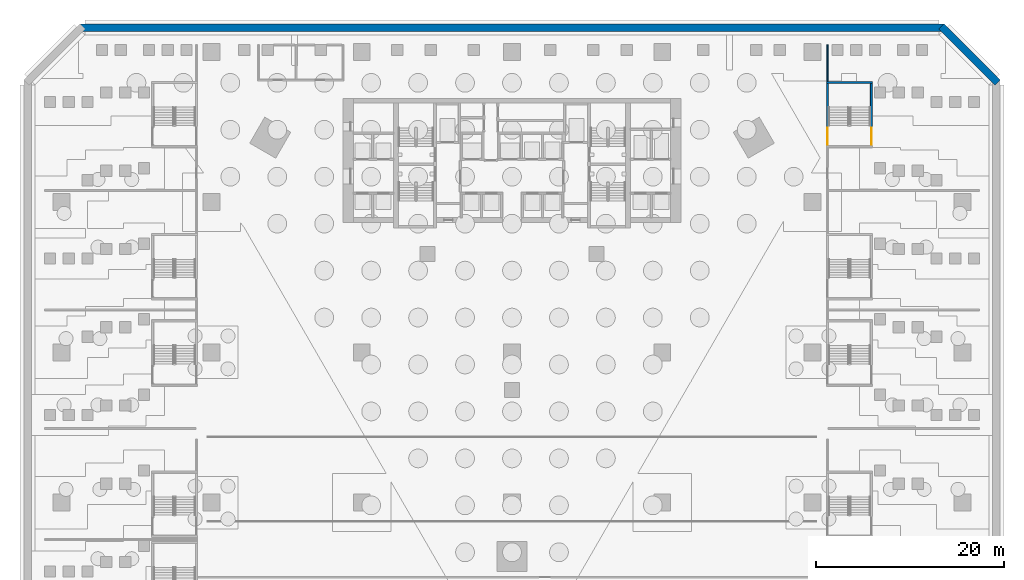
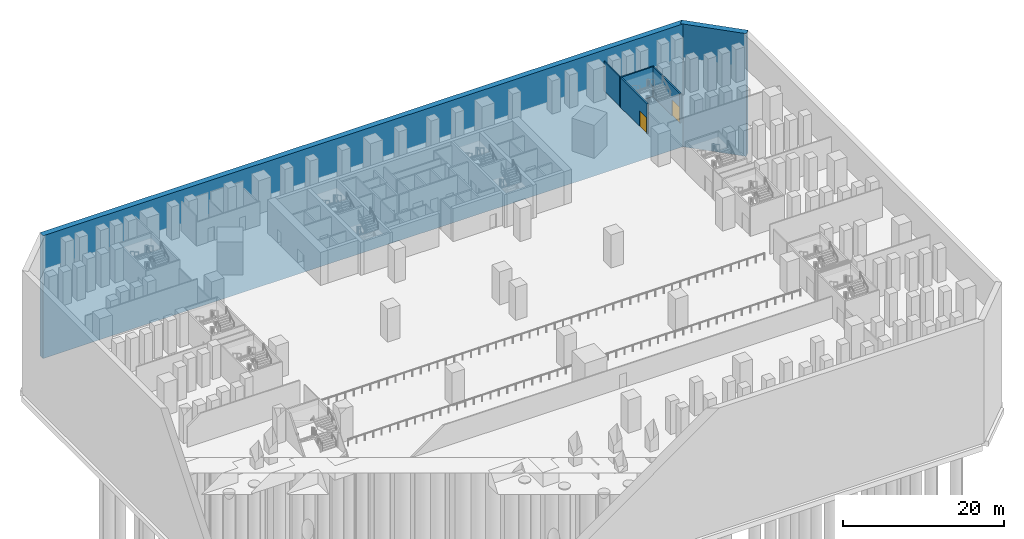
# One storey, part 12 of 27: 6 walls, 2 doors, 2 openings.
"""IFC4 building model written with IfcOpenShell, lengths in metres."""

from ifc_helpers import new_model, si_unit, direction, frame, frame_2d, origin, place, context, subcontext, project, spatial, rectangle, extrude, material, layer, layer_set, type_object, element, fill, save


model = new_model("IFC4")

# Units and contexts
model_context = context("Model", 3, precision=1e-05, world=origin(), true_north=direction((0.0, 1.0)))
body_context = subcontext(model_context, "Body", "Model", "MODEL_VIEW")
ifc_project = project(units=[si_unit("LENGTHUNIT", "METRE"), si_unit("AREAUNIT", "SQUARE_METRE"), si_unit("VOLUMEUNIT", "CUBIC_METRE"), si_unit("PLANEANGLEUNIT", "RADIAN"), si_unit("MASSUNIT", "GRAM", prefix="KILO")], contexts=[model_context])

# Site, building, storey
site_placement = place(None, origin())
site = spatial("IfcSite", under=ifc_project, at=site_placement, CompositionType="ELEMENT")
building_placement = place(site_placement, origin())
building = spatial("IfcBuilding", under=site, at=building_placement, Name="Calabash Gate Tower", CompositionType="ELEMENT")
storey_placement = place(building_placement, frame((0.0, 0.0, -10.0)))
storey = spatial("IfcBuildingStorey", under=building, at=storey_placement, Name="B2", CompositionType="ELEMENT", Elevation=-10.0)

# Walls
ifc_material_1 = material(Name="Concrete C60/75", Category="concrete")
ifc_layer_1 = layer(ifc_material_1, 0.800048828125)
ifc_layer_set_1 = layer_set([ifc_layer_1], Name="Diaphragm wall 800 Concrete C60/75")
wall_type_1 = type_object("IfcWallType", Name="Diaphragm wall 800 Concrete C60/75", PredefinedType="SHEAR", material=ifc_layer_set_1)
wall_1_placement = place(storey_placement, frame((51.717041015625, 20.717041015625, -13.60009765625), z_axis=(0.0, 0.0, 1.0), x_axis=(-0.707106781187, 0.707106781187, 0.0)))
element("IfcWall", 1, at=wall_1_placement, inside=storey, type_object=wall_type_1, Name="Diaphragm wall B2", PredefinedType="SHEAR", context=body_context, shape_type="SweptSolid", body=[
    extrude(rectangle(XDim=8.4853515625, YDim=0.800048828125, at=frame_2d((4.24267578125, 0.0))), origin(), (0.0, 0.0, 1.0), 18.60009765625),
])
wall_2_placement = place(storey_placement, frame((46.0, 26.60009765625, -13.60009765625), z_axis=(0.0, 0.0, 1.0), x_axis=(-1.0, 0.0, 0.0)))
element("IfcWall", 2, at=wall_2_placement, inside=storey, type_object=wall_type_1, Name="Diaphragm wall B2", PredefinedType="SHEAR", context=body_context, shape_type="SweptSolid", body=[
    extrude(rectangle(XDim=92.0, YDim=0.800048828125, at=frame_2d((46.0, 0.0))), origin(), (0.0, 0.0, 1.0), 18.60009765625),
])
ifc_material_2 = material(Name="Gypsum board on steel studs, mineral wool", Category="steel")
ifc_layer_2 = layer(ifc_material_2, 0.14990234375)
ifc_layer_set_2 = layer_set([ifc_layer_2], Name="Partition 150 gypsum board")
wall_type_2 = type_object("IfcWallType", Name="Partition 150 gypsum board", PredefinedType="PARTITIONING", material=ifc_layer_set_2)
wall_3_placement = place(storey_placement, frame((33.60009765625, 20.889892578125, 0.0), z_axis=(0.0, 0.0, 1.0), x_axis=(0.0, 1.0, 0.0)))
element("IfcWall", 3, at=wall_3_placement, inside=storey, type_object=wall_type_2, Name="Partition", PredefinedType="PARTITIONING", context=body_context, shape_type="SweptSolid", body=[
    extrude(rectangle(XDim=3.885009765625, YDim=0.14990234375, at=frame_2d((1.9423828125, 0.0))), origin(), (0.0, 0.0, 1.0), 4.5),
])
ifc_material_3 = material(Name="Concrete C40/50", Category="concrete")
ifc_layer_3 = layer(ifc_material_3, 0.199951171875)
ifc_layer_set_3 = layer_set([ifc_layer_3], Name="Stair wall 200 Concrete C40/50")
wall_type_3 = type_object("IfcWallType", Name="Stair wall 200 Concrete C40/50", PredefinedType="SOLIDWALL", material=ifc_layer_set_3)
wall_4_placement = place(storey_placement, frame((33.5, 20.75, 0.0), z_axis=(0.0, 0.0, 1.0), x_axis=(1.0, 0.0, 0.0)))
element("IfcWall", 4, at=wall_4_placement, inside=storey, type_object=wall_type_3, Name="Stair wall", PredefinedType="SOLIDWALL", context=body_context, shape_type="SweptSolid", body=[
    extrude(rectangle(XDim=4.8701171875, YDim=0.199951171875, at=frame_2d((2.43505859375, 0.0))), origin(), (0.0, 0.0, 1.0), 4.5),
])

# Wall, opening, door
wall_5_placement = place(storey_placement, frame((33.60009765625, 14.0, 0.0), z_axis=(0.0, 0.0, 1.0), x_axis=(0.0, 1.0, 0.0)))
wall_5 = element("IfcWall", 5, at=wall_5_placement, inside=storey, type_object=wall_type_3, Name="Stair wall", PredefinedType="SOLIDWALL", context=body_context, shape_type="SweptSolid", body=[
    extrude(rectangle(XDim=6.64990234375, YDim=0.199951171875, at=frame_2d((3.324951171875, 0.0))), origin(), (0.0, 0.0, 1.0), 4.5),
])
opening_1_placement = place(wall_5_placement, frame((0.10009765625, 0.0, 0.0)))
opening_1 = element("IfcOpeningElement", 6, at=opening_1_placement, cuts=wall_5, Name="Opening B2-036", PredefinedType="OPENING", context=body_context, shape_type="SweptSolid", body=[
    extrude(rectangle(XDim=1.800048828125, YDim=2.39990234375, at=frame_2d((0.89990234375, 1.199951171875))), frame((0.0, 0.10986328125, 0.0), z_axis=(0.0, -1.0, 0.0), x_axis=(1.0, 0.0, 0.0)), (0.0, 0.0, 1.0), 0.219970703125),
])
ifc_material_4 = material(Name="Steel fire door set with fire-resisting glazing", Category="steel")
door_type = type_object("IfcDoorType", Name="Double fire door D16 1800x2400 FD90", OperationType="DOUBLE_DOOR_SINGLE_SWING", PredefinedType="DOOR", material=ifc_material_4)
door_1_placement = place(opening_1_placement, origin())
door_1 = element("IfcDoor", 7, at=door_1_placement, inside=storey, type_object=door_type, Name="Exit stair door PS10", OperationType="DOUBLE_DOOR_SINGLE_SWING", OverallHeight=2.39990234375, OverallWidth=1.800048828125, PredefinedType="DOOR", context=body_context, shape_type="SweptSolid", body=[
    extrude(rectangle(XDim=1.800048828125, YDim=2.39990234375, at=frame_2d((0.89990234375, 1.199951171875))), frame((0.0, 0.02490234375, 0.0), z_axis=(0.0, -1.0, 0.0), x_axis=(1.0, 0.0, 0.0)), (0.0, 0.0, 1.0), 0.050048828125),
])
fill(opening_1, door_1)

wall_6_placement = place(storey_placement, frame((38.27001953125, 14.0, 0.0), z_axis=(0.0, 0.0, 1.0), x_axis=(0.0, 1.0, 0.0)))
wall_6 = element("IfcWall", 8, at=wall_6_placement, inside=storey, type_object=wall_type_3, Name="Stair wall", PredefinedType="SOLIDWALL", context=body_context, shape_type="SweptSolid", body=[
    extrude(rectangle(XDim=6.64990234375, YDim=0.199951171875, at=frame_2d((3.324951171875, 0.0))), origin(), (0.0, 0.0, 1.0), 4.5),
])
opening_2_placement = place(wall_6_placement, frame((0.10009765625, 0.0, 0.0)))
opening_2 = element("IfcOpeningElement", 9, at=opening_2_placement, cuts=wall_6, Name="Opening B2-037", PredefinedType="OPENING", context=body_context, shape_type="SweptSolid", body=[
    extrude(rectangle(XDim=1.800048828125, YDim=2.39990234375, at=frame_2d((0.89990234375, 1.199951171875))), frame((0.0, 0.10986328125, 0.0), z_axis=(0.0, -1.0, 0.0), x_axis=(1.0, 0.0, 0.0)), (0.0, 0.0, 1.0), 0.219970703125),
])
door_2_placement = place(opening_2_placement, origin())
door_2 = element("IfcDoor", 10, at=door_2_placement, inside=storey, type_object=door_type, Name="Exit stair door PS10", OperationType="DOUBLE_DOOR_SINGLE_SWING", OverallHeight=2.39990234375, OverallWidth=1.800048828125, PredefinedType="DOOR", context=body_context, shape_type="SweptSolid", body=[
    extrude(rectangle(XDim=1.800048828125, YDim=2.39990234375, at=frame_2d((0.89990234375, 1.199951171875))), frame((0.0, 0.02490234375, 0.0), z_axis=(0.0, -1.0, 0.0), x_axis=(1.0, 0.0, 0.0)), (0.0, 0.0, 1.0), 0.050048828125),
])
fill(opening_2, door_2)

save(model, "model.ifc")
